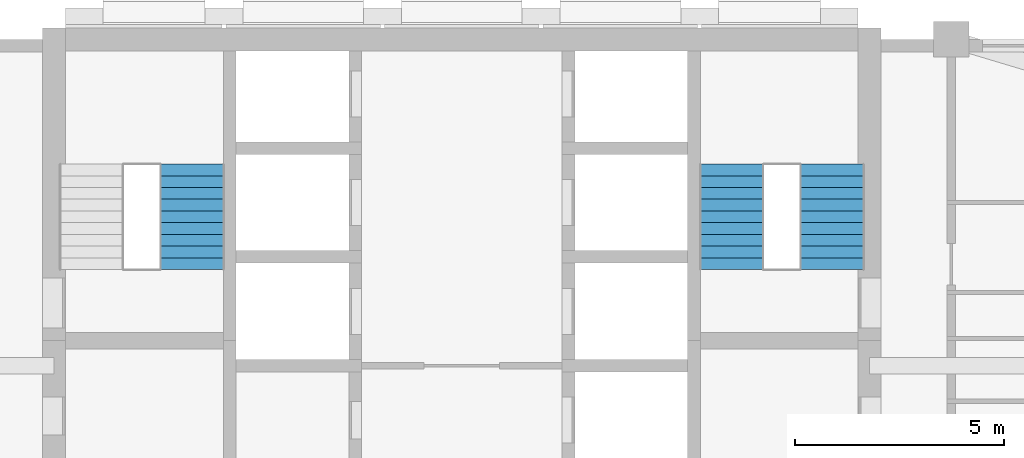
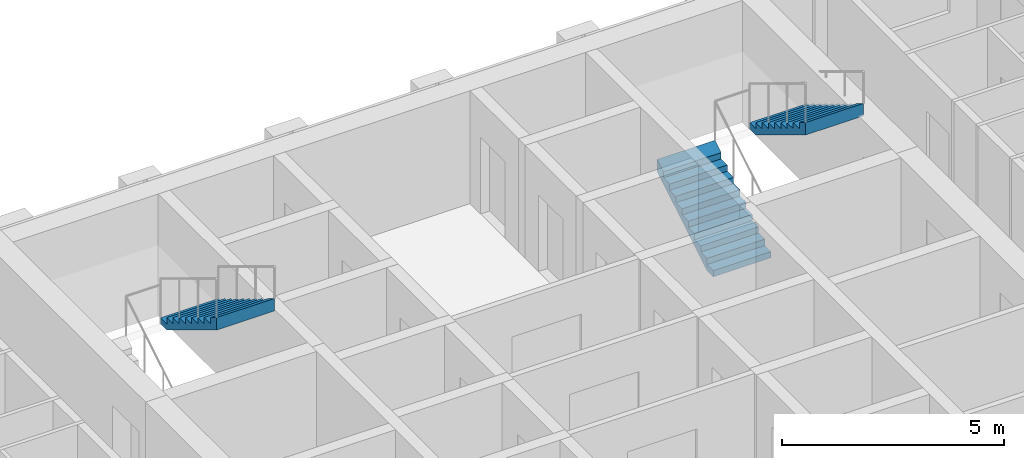
# One storey, part 12 of 14: 3 stair flights, 2 elements without a shape of their own.
"""IFC4 building model written with IfcOpenShell, lengths in metres."""

from ifc_helpers import new_model, si_unit, direction, frame, origin, place, context, subcontext, project, spatial, triangles, material, type_object, element, aggregate, save


model = new_model("IFC4")

# Units and contexts
model_context = context("Model", 3, precision=1e-05, world=origin(), true_north=direction((0.0, 1.0)))
body_context = subcontext(model_context, "Body", "Model", "MODEL_VIEW")
ifc_project = project(units=[si_unit("LENGTHUNIT", "METRE"), si_unit("AREAUNIT", "SQUARE_METRE"), si_unit("VOLUMEUNIT", "CUBIC_METRE"), si_unit("PLANEANGLEUNIT", "RADIAN"), si_unit("MASSUNIT", "GRAM", prefix="KILO")], contexts=[model_context])

# Site, building, storey
site_placement = place(None, origin())
site = spatial("IfcSite", under=ifc_project, at=site_placement, CompositionType="ELEMENT")
building_placement = place(site_placement, origin())
building = spatial("IfcBuilding", under=site, at=building_placement, Name="Ludao Terraces", CompositionType="ELEMENT")
storey_placement = place(building_placement, frame((0.0, 0.0, 140.699951171875)))
storey = spatial("IfcBuildingStorey", under=building, at=storey_placement, Name="L38", CompositionType="ELEMENT", Elevation=140.699951171875)

# Stair, stair flight
ifc_material = material(Name="Concrete C40", Category="concrete")
stair_type = type_object("IfcStairType", Name="INT Stair", PredefinedType="HALF_TURN_STAIR", material=ifc_material)
stair_1_placement = place(storey_placement, origin())
stair_1 = element("IfcStair", 1, at=stair_1_placement, inside=storey, type_object=stair_type, Name="EXIT STAIR 1", PredefinedType="HALF_TURN_STAIR")
stair_flight_type = type_object("IfcStairFlightType", Name="INT Stair flight", PredefinedType="STRAIGHT", material=ifc_material)
stair_flight_1_placement = place(storey_placement, frame((78.550048828125, 81.52001953125, 1.699951171875), z_axis=(0.0, 0.0, 1.0), x_axis=(0.0, -1.0, 0.0)))
stair_flight_1 = element("IfcStairFlight", 2, at=stair_flight_1_placement, type_object=stair_flight_type, Name="ST1 flight 2", NumberOfRisers=10, NumberOfTreads=9, PredefinedType="STRAIGHT", RiserHeight=0.17, TreadLength=0.28, context=body_context, shape_type="Tessellation", body=[
    triangles([(0.0, -0.75, 0.0), (0.0, -0.5, 0.0), (0.0, -0.25, 0.0), (0.0, 0.0, 0.0), (0.0, 0.25, 0.0), (0.0, 0.5, 0.0), (0.0, 0.75, 0.0), (0.0, -0.75, 0.169921875), (0.0, -0.5, 0.169921875), (0.0, -0.25, 0.169921875), (0.0, 0.0, 0.169921875), (0.0, 0.25, 0.169921875), (0.0, 0.5, 0.169921875), (0.0, 0.75, 0.169921875), (0.280029296875, -0.75, 0.169921875), (0.280029296875, -0.5, 0.169921875), (0.280029296875, -0.25, 0.169921875), (0.280029296875, 0.0, 0.169921875), (0.280029296875, 0.25, 0.169921875), (0.280029296875, 0.5, 0.169921875), (0.280029296875, 0.75, 0.169921875), (0.280029296875, -0.75, 0.340087890625), (0.280029296875, -0.5, 0.340087890625), (0.280029296875, -0.25, 0.340087890625), (0.280029296875, 0.0, 0.340087890625), (0.280029296875, 0.25, 0.340087890625), (0.280029296875, 0.5, 0.340087890625), (0.280029296875, 0.75, 0.340087890625), (0.56005859375, -0.75, 0.340087890625), (0.56005859375, -0.5, 0.340087890625), (0.56005859375, -0.25, 0.340087890625), (0.56005859375, 0.0, 0.340087890625), (0.56005859375, 0.25, 0.340087890625), (0.56005859375, 0.5, 0.340087890625), (0.56005859375, 0.75, 0.340087890625), (0.56005859375, -0.75, 0.510009765625), (0.56005859375, -0.5, 0.510009765625), (0.56005859375, -0.25, 0.510009765625), (0.56005859375, 0.0, 0.510009765625), (0.56005859375, 0.25, 0.510009765625), (0.56005859375, 0.5, 0.510009765625), (0.56005859375, 0.75, 0.510009765625), (0.840087890625, -0.75, 0.510009765625), (0.840087890625, -0.5, 0.510009765625), (0.840087890625, -0.25, 0.510009765625), (0.840087890625, 0.0, 0.510009765625), (0.840087890625, 0.25, 0.510009765625), (0.840087890625, 0.5, 0.510009765625), (0.840087890625, 0.75, 0.510009765625), (0.840087890625, -0.75, 0.679931640625), (0.840087890625, -0.5, 0.679931640625), (0.840087890625, -0.25, 0.679931640625), (0.840087890625, 0.0, 0.679931640625), (0.840087890625, 0.25, 0.679931640625), (0.840087890625, 0.5, 0.679931640625), (0.840087890625, 0.75, 0.679931640625), (1.1201171875, -0.75, 0.679931640625), (1.1201171875, -0.5, 0.679931640625), (1.1201171875, -0.25, 0.679931640625), (1.1201171875, 0.0, 0.679931640625), (1.1201171875, 0.25, 0.679931640625), (1.1201171875, 0.5, 0.679931640625), (1.1201171875, 0.75, 0.679931640625), (1.1201171875, -0.75, 0.85009765625), (1.1201171875, -0.5, 0.85009765625), (1.1201171875, -0.25, 0.85009765625), (1.1201171875, 0.0, 0.85009765625), (1.1201171875, 0.25, 0.85009765625), (1.1201171875, 0.5, 0.85009765625), (1.1201171875, 0.75, 0.85009765625), (1.39990234375, -0.75, 0.85009765625), (1.39990234375, -0.5, 0.85009765625), (1.39990234375, -0.25, 0.85009765625), (1.39990234375, 0.0, 0.85009765625), (1.39990234375, 0.25, 0.85009765625), (1.39990234375, 0.5, 0.85009765625), (1.39990234375, 0.75, 0.85009765625), (1.39990234375, -0.75, 1.02001953125), (1.39990234375, -0.5, 1.02001953125), (1.39990234375, -0.25, 1.02001953125), (1.39990234375, 0.0, 1.02001953125), (1.39990234375, 0.25, 1.02001953125), (1.39990234375, 0.5, 1.02001953125), (1.39990234375, 0.75, 1.02001953125), (1.679931640625, -0.75, 1.02001953125), (1.679931640625, -0.5, 1.02001953125), (1.679931640625, -0.25, 1.02001953125), (1.679931640625, 0.0, 1.02001953125), (1.679931640625, 0.25, 1.02001953125), (1.679931640625, 0.5, 1.02001953125), (1.679931640625, 0.75, 1.02001953125), (1.679931640625, -0.75, 1.18994140625), (1.679931640625, -0.5, 1.18994140625), (1.679931640625, -0.25, 1.18994140625), (1.679931640625, 0.0, 1.18994140625), (1.679931640625, 0.25, 1.18994140625), (1.679931640625, 0.5, 1.18994140625), (1.679931640625, 0.75, 1.18994140625), (1.9599609375, -0.75, 1.18994140625), (1.9599609375, -0.5, 1.18994140625), (1.9599609375, -0.25, 1.18994140625), (1.9599609375, 0.0, 1.18994140625), (1.9599609375, 0.25, 1.18994140625), (1.9599609375, 0.5, 1.18994140625), (1.9599609375, 0.75, 1.18994140625), (1.9599609375, -0.75, 1.360107421875), (1.9599609375, -0.5, 1.360107421875), (1.9599609375, -0.25, 1.360107421875), (1.9599609375, 0.0, 1.360107421875), (1.9599609375, 0.25, 1.360107421875), (1.9599609375, 0.5, 1.360107421875), (1.9599609375, 0.75, 1.360107421875), (2.239990234375, -0.75, 1.360107421875), (2.239990234375, -0.5, 1.360107421875), (2.239990234375, -0.25, 1.360107421875), (2.239990234375, 0.0, 1.360107421875), (2.239990234375, 0.25, 1.360107421875), (2.239990234375, 0.5, 1.360107421875), (2.239990234375, 0.75, 1.360107421875), (2.239990234375, -0.75, 1.530029296875), (2.239990234375, -0.5, 1.530029296875), (2.239990234375, -0.25, 1.530029296875), (2.239990234375, 0.0, 1.530029296875), (2.239990234375, 0.25, 1.530029296875), (2.239990234375, 0.5, 1.530029296875), (2.239990234375, 0.75, 1.530029296875), (2.52001953125, -0.75, 1.699951171875), (2.52001953125, -0.5, 1.699951171875), (2.52001953125, -0.25, 1.699951171875), (2.52001953125, 0.0, 1.699951171875), (2.52001953125, 0.25, 1.699951171875), (2.52001953125, 0.5, 1.699951171875), (2.52001953125, 0.75, 1.699951171875), (2.52001953125, -0.75, 1.354736328125), (2.52001953125, -0.5, 1.354736328125), (2.52001953125, -0.25, 1.354736328125), (2.52001953125, 0.0, 1.354736328125), (2.52001953125, 0.25, 1.354736328125), (2.52001953125, 0.5, 1.354736328125), (2.52001953125, 0.75, 1.354736328125), (0.288818359375, -0.75, 0.0), (0.288818359375, -0.5, 0.0), (0.288818359375, -0.25, 0.0), (0.288818359375, 0.0, 0.0), (0.288818359375, 0.25, 0.0), (0.288818359375, 0.5, 0.0), (0.288818359375, 0.75, 0.0)], [[1, 141, 134], [7, 140, 147], [134, 127, 120], [140, 126, 133], [134, 120, 113], [140, 119, 126], [134, 113, 106], [140, 112, 119], [134, 106, 99], [140, 105, 112], [99, 92, 85], [105, 91, 98], [134, 99, 85], [140, 91, 105], [85, 78, 71], [91, 77, 84], [134, 85, 71], [140, 77, 91], [71, 64, 57], [77, 63, 70], [134, 71, 57], [140, 63, 77], [57, 50, 43], [63, 49, 56], [134, 57, 43], [140, 49, 63], [43, 36, 29], [49, 35, 42], [134, 43, 29], [140, 35, 49], [29, 22, 15], [35, 21, 28], [134, 29, 15], [140, 21, 35], [1, 134, 15], [7, 21, 140], [15, 8, 1], [21, 7, 14], [1, 9, 2], [1, 8, 9], [2, 10, 3], [2, 9, 10], [3, 11, 4], [3, 10, 11], [4, 12, 5], [4, 11, 12], [5, 13, 6], [5, 12, 13], [6, 14, 7], [6, 13, 14], [8, 16, 9], [8, 15, 16], [9, 17, 10], [9, 16, 17], [10, 18, 11], [10, 17, 18], [11, 19, 12], [11, 18, 19], [12, 20, 13], [12, 19, 20], [13, 21, 14], [13, 20, 21], [15, 23, 16], [15, 22, 23], [16, 24, 17], [16, 23, 24], [17, 25, 18], [17, 24, 25], [18, 26, 19], [18, 25, 26], [19, 27, 20], [19, 26, 27], [20, 28, 21], [20, 27, 28], [22, 30, 23], [22, 29, 30], [23, 31, 24], [23, 30, 31], [24, 32, 25], [24, 31, 32], [25, 33, 26], [25, 32, 33], [26, 34, 27], [26, 33, 34], [27, 35, 28], [27, 34, 35], [29, 37, 30], [29, 36, 37], [30, 38, 31], [30, 37, 38], [31, 39, 32], [31, 38, 39], [32, 40, 33], [32, 39, 40], [33, 41, 34], [33, 40, 41], [34, 42, 35], [34, 41, 42], [36, 44, 37], [36, 43, 44], [37, 45, 38], [37, 44, 45], [38, 46, 39], [38, 45, 46], [39, 47, 40], [39, 46, 47], [40, 48, 41], [40, 47, 48], [41, 49, 42], [41, 48, 49], [43, 51, 44], [43, 50, 51], [44, 52, 45], [44, 51, 52], [45, 53, 46], [45, 52, 53], [46, 54, 47], [46, 53, 54], [47, 55, 48], [47, 54, 55], [48, 56, 49], [48, 55, 56], [50, 58, 51], [50, 57, 58], [51, 59, 52], [51, 58, 59], [52, 60, 53], [52, 59, 60], [53, 61, 54], [53, 60, 61], [54, 62, 55], [54, 61, 62], [55, 63, 56], [55, 62, 63], [57, 65, 58], [57, 64, 65], [58, 66, 59], [58, 65, 66], [59, 67, 60], [59, 66, 67], [60, 68, 61], [60, 67, 68], [61, 69, 62], [61, 68, 69], [62, 70, 63], [62, 69, 70], [64, 72, 65], [64, 71, 72], [65, 73, 66], [65, 72, 73], [66, 74, 67], [66, 73, 74], [67, 75, 68], [67, 74, 75], [68, 76, 69], [68, 75, 76], [69, 77, 70], [69, 76, 77], [71, 79, 72], [71, 78, 79], [72, 80, 73], [72, 79, 80], [73, 81, 74], [73, 80, 81], [74, 82, 75], [74, 81, 82], [75, 83, 76], [75, 82, 83], [76, 84, 77], [76, 83, 84], [78, 86, 79], [78, 85, 86], [79, 87, 80], [79, 86, 87], [80, 88, 81], [80, 87, 88], [81, 89, 82], [81, 88, 89], [82, 90, 83], [82, 89, 90], [83, 91, 84], [83, 90, 91], [85, 93, 86], [85, 92, 93], [86, 94, 87], [86, 93, 94], [87, 95, 88], [87, 94, 95], [88, 96, 89], [88, 95, 96], [89, 97, 90], [89, 96, 97], [90, 98, 91], [90, 97, 98], [92, 100, 93], [92, 99, 100], [93, 101, 94], [93, 100, 101], [94, 102, 95], [94, 101, 102], [95, 103, 96], [95, 102, 103], [96, 104, 97], [96, 103, 104], [97, 105, 98], [97, 104, 105], [99, 107, 100], [99, 106, 107], [100, 108, 101], [100, 107, 108], [101, 109, 102], [101, 108, 109], [102, 110, 103], [102, 109, 110], [103, 111, 104], [103, 110, 111], [104, 112, 105], [104, 111, 112], [106, 114, 107], [106, 113, 114], [107, 115, 108], [107, 114, 115], [108, 116, 109], [108, 115, 116], [109, 117, 110], [109, 116, 117], [110, 118, 111], [110, 117, 118], [111, 119, 112], [111, 118, 119], [113, 121, 114], [113, 120, 121], [114, 122, 115], [114, 121, 122], [115, 123, 116], [115, 122, 123], [116, 124, 117], [116, 123, 124], [117, 125, 118], [117, 124, 125], [118, 126, 119], [118, 125, 126], [120, 128, 121], [120, 127, 128], [121, 129, 122], [121, 128, 129], [122, 130, 123], [122, 129, 130], [123, 131, 124], [123, 130, 131], [124, 132, 125], [124, 131, 132], [125, 133, 126], [125, 132, 133], [127, 135, 128], [127, 134, 135], [128, 136, 129], [128, 135, 136], [129, 137, 130], [129, 136, 137], [130, 138, 131], [130, 137, 138], [131, 139, 132], [131, 138, 139], [132, 140, 133], [132, 139, 140], [134, 142, 135], [134, 141, 142], [135, 143, 136], [135, 142, 143], [136, 144, 137], [136, 143, 144], [137, 145, 138], [137, 144, 145], [138, 146, 139], [138, 145, 146], [139, 147, 140], [139, 146, 147], [141, 2, 142], [141, 1, 2], [142, 3, 143], [142, 2, 3], [143, 4, 144], [143, 3, 4], [144, 5, 145], [144, 4, 5], [145, 6, 146], [145, 5, 6], [146, 7, 147], [146, 6, 7]], closed=True),
])
aggregate(stair_1, [stair_flight_1])

# Stair, stair flights
stair_2_placement = place(storey_placement, origin())
stair_2 = element("IfcStair", 3, at=stair_2_placement, inside=storey, type_object=stair_type, Name="EXIT STAIR 2", PredefinedType="HALF_TURN_STAIR")
stair_flight_2_placement = place(storey_placement, frame((91.449951171875, 79.0, 0.0), z_axis=(0.0, 0.0, 1.0), x_axis=(0.0, 1.0, 0.0)))
stair_flight_2 = element("IfcStairFlight", 4, at=stair_flight_2_placement, type_object=stair_flight_type, Name="ST2 flight 1", NumberOfRisers=10, NumberOfTreads=9, PredefinedType="STRAIGHT", RiserHeight=0.17, TreadLength=0.28, context=body_context, shape_type="Tessellation", body=[
    triangles([(0.0, -0.75, 0.0), (0.0, -0.5, 0.0), (0.0, -0.25, 0.0), (0.0, 0.0, 0.0), (0.0, 0.25, 0.0), (0.0, 0.5, 0.0), (0.0, 0.75, 0.0), (0.0, -0.75, 0.169921875), (0.0, -0.5, 0.169921875), (0.0, -0.25, 0.169921875), (0.0, 0.0, 0.169921875), (0.0, 0.25, 0.169921875), (0.0, 0.5, 0.169921875), (0.0, 0.75, 0.169921875), (0.280029296875, -0.75, 0.169921875), (0.280029296875, -0.5, 0.169921875), (0.280029296875, -0.25, 0.169921875), (0.280029296875, 0.0, 0.169921875), (0.280029296875, 0.25, 0.169921875), (0.280029296875, 0.5, 0.169921875), (0.280029296875, 0.75, 0.169921875), (0.280029296875, -0.75, 0.340087890625), (0.280029296875, -0.5, 0.340087890625), (0.280029296875, -0.25, 0.340087890625), (0.280029296875, 0.0, 0.340087890625), (0.280029296875, 0.25, 0.340087890625), (0.280029296875, 0.5, 0.340087890625), (0.280029296875, 0.75, 0.340087890625), (0.56005859375, -0.75, 0.340087890625), (0.56005859375, -0.5, 0.340087890625), (0.56005859375, -0.25, 0.340087890625), (0.56005859375, 0.0, 0.340087890625), (0.56005859375, 0.25, 0.340087890625), (0.56005859375, 0.5, 0.340087890625), (0.56005859375, 0.75, 0.340087890625), (0.56005859375, -0.75, 0.510009765625), (0.56005859375, -0.5, 0.510009765625), (0.56005859375, -0.25, 0.510009765625), (0.56005859375, 0.0, 0.510009765625), (0.56005859375, 0.25, 0.510009765625), (0.56005859375, 0.5, 0.510009765625), (0.56005859375, 0.75, 0.510009765625), (0.840087890625, -0.75, 0.510009765625), (0.840087890625, -0.5, 0.510009765625), (0.840087890625, -0.25, 0.510009765625), (0.840087890625, 0.0, 0.510009765625), (0.840087890625, 0.25, 0.510009765625), (0.840087890625, 0.5, 0.510009765625), (0.840087890625, 0.75, 0.510009765625), (0.840087890625, -0.75, 0.679931640625), (0.840087890625, -0.5, 0.679931640625), (0.840087890625, -0.25, 0.679931640625), (0.840087890625, 0.0, 0.679931640625), (0.840087890625, 0.25, 0.679931640625), (0.840087890625, 0.5, 0.679931640625), (0.840087890625, 0.75, 0.679931640625), (1.1201171875, -0.75, 0.679931640625), (1.1201171875, -0.5, 0.679931640625), (1.1201171875, -0.25, 0.679931640625), (1.1201171875, 0.0, 0.679931640625), (1.1201171875, 0.25, 0.679931640625), (1.1201171875, 0.5, 0.679931640625), (1.1201171875, 0.75, 0.679931640625), (1.1201171875, -0.75, 0.85009765625), (1.1201171875, -0.5, 0.85009765625), (1.1201171875, -0.25, 0.85009765625), (1.1201171875, 0.0, 0.85009765625), (1.1201171875, 0.25, 0.85009765625), (1.1201171875, 0.5, 0.85009765625), (1.1201171875, 0.75, 0.85009765625), (1.39990234375, -0.75, 0.85009765625), (1.39990234375, -0.5, 0.85009765625), (1.39990234375, -0.25, 0.85009765625), (1.39990234375, 0.0, 0.85009765625), (1.39990234375, 0.25, 0.85009765625), (1.39990234375, 0.5, 0.85009765625), (1.39990234375, 0.75, 0.85009765625), (1.39990234375, -0.75, 1.02001953125), (1.39990234375, -0.5, 1.02001953125), (1.39990234375, -0.25, 1.02001953125), (1.39990234375, 0.0, 1.02001953125), (1.39990234375, 0.25, 1.02001953125), (1.39990234375, 0.5, 1.02001953125), (1.39990234375, 0.75, 1.02001953125), (1.679931640625, -0.75, 1.02001953125), (1.679931640625, -0.5, 1.02001953125), (1.679931640625, -0.25, 1.02001953125), (1.679931640625, 0.0, 1.02001953125), (1.679931640625, 0.25, 1.02001953125), (1.679931640625, 0.5, 1.02001953125), (1.679931640625, 0.75, 1.02001953125), (1.679931640625, -0.75, 1.18994140625), (1.679931640625, -0.5, 1.18994140625), (1.679931640625, -0.25, 1.18994140625), (1.679931640625, 0.0, 1.18994140625), (1.679931640625, 0.25, 1.18994140625), (1.679931640625, 0.5, 1.18994140625), (1.679931640625, 0.75, 1.18994140625), (1.9599609375, -0.75, 1.18994140625), (1.9599609375, -0.5, 1.18994140625), (1.9599609375, -0.25, 1.18994140625), (1.9599609375, 0.0, 1.18994140625), (1.9599609375, 0.25, 1.18994140625), (1.9599609375, 0.5, 1.18994140625), (1.9599609375, 0.75, 1.18994140625), (1.9599609375, -0.75, 1.360107421875), (1.9599609375, -0.5, 1.360107421875), (1.9599609375, -0.25, 1.360107421875), (1.9599609375, 0.0, 1.360107421875), (1.9599609375, 0.25, 1.360107421875), (1.9599609375, 0.5, 1.360107421875), (1.9599609375, 0.75, 1.360107421875), (2.239990234375, -0.75, 1.360107421875), (2.239990234375, -0.5, 1.360107421875), (2.239990234375, -0.25, 1.360107421875), (2.239990234375, 0.0, 1.360107421875), (2.239990234375, 0.25, 1.360107421875), (2.239990234375, 0.5, 1.360107421875), (2.239990234375, 0.75, 1.360107421875), (2.239990234375, -0.75, 1.530029296875), (2.239990234375, -0.5, 1.530029296875), (2.239990234375, -0.25, 1.530029296875), (2.239990234375, 0.0, 1.530029296875), (2.239990234375, 0.25, 1.530029296875), (2.239990234375, 0.5, 1.530029296875), (2.239990234375, 0.75, 1.530029296875), (2.52001953125, -0.75, 1.699951171875), (2.52001953125, -0.5, 1.699951171875), (2.52001953125, -0.25, 1.699951171875), (2.52001953125, 0.0, 1.699951171875), (2.52001953125, 0.25, 1.699951171875), (2.52001953125, 0.5, 1.699951171875), (2.52001953125, 0.75, 1.699951171875), (2.52001953125, -0.75, 1.354736328125), (2.52001953125, -0.5, 1.354736328125), (2.52001953125, -0.25, 1.354736328125), (2.52001953125, 0.0, 1.354736328125), (2.52001953125, 0.25, 1.354736328125), (2.52001953125, 0.5, 1.354736328125), (2.52001953125, 0.75, 1.354736328125), (0.288818359375, -0.75, 0.0), (0.288818359375, -0.5, 0.0), (0.288818359375, -0.25, 0.0), (0.288818359375, 0.0, 0.0), (0.288818359375, 0.25, 0.0), (0.288818359375, 0.5, 0.0), (0.288818359375, 0.75, 0.0)], [[1, 141, 134], [7, 140, 147], [134, 127, 120], [140, 126, 133], [134, 120, 113], [140, 119, 126], [134, 113, 106], [140, 112, 119], [134, 106, 99], [140, 105, 112], [99, 92, 85], [105, 91, 98], [134, 99, 85], [140, 91, 105], [85, 78, 71], [91, 77, 84], [134, 85, 71], [140, 77, 91], [71, 64, 57], [77, 63, 70], [134, 71, 57], [140, 63, 77], [57, 50, 43], [63, 49, 56], [134, 57, 43], [140, 49, 63], [43, 36, 29], [49, 35, 42], [134, 43, 29], [140, 35, 49], [29, 22, 15], [35, 21, 28], [134, 29, 15], [140, 21, 35], [1, 134, 15], [7, 21, 140], [15, 8, 1], [21, 7, 14], [1, 9, 2], [1, 8, 9], [2, 10, 3], [2, 9, 10], [3, 11, 4], [3, 10, 11], [4, 12, 5], [4, 11, 12], [5, 13, 6], [5, 12, 13], [6, 14, 7], [6, 13, 14], [8, 16, 9], [8, 15, 16], [9, 17, 10], [9, 16, 17], [10, 18, 11], [10, 17, 18], [11, 19, 12], [11, 18, 19], [12, 20, 13], [12, 19, 20], [13, 21, 14], [13, 20, 21], [15, 23, 16], [15, 22, 23], [16, 24, 17], [16, 23, 24], [17, 25, 18], [17, 24, 25], [18, 26, 19], [18, 25, 26], [19, 27, 20], [19, 26, 27], [20, 28, 21], [20, 27, 28], [22, 30, 23], [22, 29, 30], [23, 31, 24], [23, 30, 31], [24, 32, 25], [24, 31, 32], [25, 33, 26], [25, 32, 33], [26, 34, 27], [26, 33, 34], [27, 35, 28], [27, 34, 35], [29, 37, 30], [29, 36, 37], [30, 38, 31], [30, 37, 38], [31, 39, 32], [31, 38, 39], [32, 40, 33], [32, 39, 40], [33, 41, 34], [33, 40, 41], [34, 42, 35], [34, 41, 42], [36, 44, 37], [36, 43, 44], [37, 45, 38], [37, 44, 45], [38, 46, 39], [38, 45, 46], [39, 47, 40], [39, 46, 47], [40, 48, 41], [40, 47, 48], [41, 49, 42], [41, 48, 49], [43, 51, 44], [43, 50, 51], [44, 52, 45], [44, 51, 52], [45, 53, 46], [45, 52, 53], [46, 54, 47], [46, 53, 54], [47, 55, 48], [47, 54, 55], [48, 56, 49], [48, 55, 56], [50, 58, 51], [50, 57, 58], [51, 59, 52], [51, 58, 59], [52, 60, 53], [52, 59, 60], [53, 61, 54], [53, 60, 61], [54, 62, 55], [54, 61, 62], [55, 63, 56], [55, 62, 63], [57, 65, 58], [57, 64, 65], [58, 66, 59], [58, 65, 66], [59, 67, 60], [59, 66, 67], [60, 68, 61], [60, 67, 68], [61, 69, 62], [61, 68, 69], [62, 70, 63], [62, 69, 70], [64, 72, 65], [64, 71, 72], [65, 73, 66], [65, 72, 73], [66, 74, 67], [66, 73, 74], [67, 75, 68], [67, 74, 75], [68, 76, 69], [68, 75, 76], [69, 77, 70], [69, 76, 77], [71, 79, 72], [71, 78, 79], [72, 80, 73], [72, 79, 80], [73, 81, 74], [73, 80, 81], [74, 82, 75], [74, 81, 82], [75, 83, 76], [75, 82, 83], [76, 84, 77], [76, 83, 84], [78, 86, 79], [78, 85, 86], [79, 87, 80], [79, 86, 87], [80, 88, 81], [80, 87, 88], [81, 89, 82], [81, 88, 89], [82, 90, 83], [82, 89, 90], [83, 91, 84], [83, 90, 91], [85, 93, 86], [85, 92, 93], [86, 94, 87], [86, 93, 94], [87, 95, 88], [87, 94, 95], [88, 96, 89], [88, 95, 96], [89, 97, 90], [89, 96, 97], [90, 98, 91], [90, 97, 98], [92, 100, 93], [92, 99, 100], [93, 101, 94], [93, 100, 101], [94, 102, 95], [94, 101, 102], [95, 103, 96], [95, 102, 103], [96, 104, 97], [96, 103, 104], [97, 105, 98], [97, 104, 105], [99, 107, 100], [99, 106, 107], [100, 108, 101], [100, 107, 108], [101, 109, 102], [101, 108, 109], [102, 110, 103], [102, 109, 110], [103, 111, 104], [103, 110, 111], [104, 112, 105], [104, 111, 112], [106, 114, 107], [106, 113, 114], [107, 115, 108], [107, 114, 115], [108, 116, 109], [108, 115, 116], [109, 117, 110], [109, 116, 117], [110, 118, 111], [110, 117, 118], [111, 119, 112], [111, 118, 119], [113, 121, 114], [113, 120, 121], [114, 122, 115], [114, 121, 122], [115, 123, 116], [115, 122, 123], [116, 124, 117], [116, 123, 124], [117, 125, 118], [117, 124, 125], [118, 126, 119], [118, 125, 126], [120, 128, 121], [120, 127, 128], [121, 129, 122], [121, 128, 129], [122, 130, 123], [122, 129, 130], [123, 131, 124], [123, 130, 131], [124, 132, 125], [124, 131, 132], [125, 133, 126], [125, 132, 133], [127, 135, 128], [127, 134, 135], [128, 136, 129], [128, 135, 136], [129, 137, 130], [129, 136, 137], [130, 138, 131], [130, 137, 138], [131, 139, 132], [131, 138, 139], [132, 140, 133], [132, 139, 140], [134, 142, 135], [134, 141, 142], [135, 143, 136], [135, 142, 143], [136, 144, 137], [136, 143, 144], [137, 145, 138], [137, 144, 145], [138, 146, 139], [138, 145, 146], [139, 147, 140], [139, 146, 147], [141, 2, 142], [141, 1, 2], [142, 3, 143], [142, 2, 3], [143, 4, 144], [143, 3, 4], [144, 5, 145], [144, 4, 5], [145, 6, 146], [145, 5, 6], [146, 7, 147], [146, 6, 7]], closed=True),
])
stair_flight_3_placement = place(storey_placement, frame((93.85009765625, 81.52001953125, 1.699951171875), z_axis=(0.0, 0.0, 1.0), x_axis=(0.0, -1.0, 0.0)))
stair_flight_3 = element("IfcStairFlight", 5, at=stair_flight_3_placement, type_object=stair_flight_type, Name="ST2 flight 2", NumberOfRisers=10, NumberOfTreads=9, PredefinedType="STRAIGHT", RiserHeight=0.17, TreadLength=0.28, context=body_context, shape_type="Tessellation", body=[
    triangles([(0.0, -0.75, 0.0), (0.0, -0.5, 0.0), (0.0, -0.25, 0.0), (0.0, 0.0, 0.0), (0.0, 0.25, 0.0), (0.0, 0.5, 0.0), (0.0, 0.75, 0.0), (0.0, -0.75, 0.169921875), (0.0, -0.5, 0.169921875), (0.0, -0.25, 0.169921875), (0.0, 0.0, 0.169921875), (0.0, 0.25, 0.169921875), (0.0, 0.5, 0.169921875), (0.0, 0.75, 0.169921875), (0.280029296875, -0.75, 0.169921875), (0.280029296875, -0.5, 0.169921875), (0.280029296875, -0.25, 0.169921875), (0.280029296875, 0.0, 0.169921875), (0.280029296875, 0.25, 0.169921875), (0.280029296875, 0.5, 0.169921875), (0.280029296875, 0.75, 0.169921875), (0.280029296875, -0.75, 0.340087890625), (0.280029296875, -0.5, 0.340087890625), (0.280029296875, -0.25, 0.340087890625), (0.280029296875, 0.0, 0.340087890625), (0.280029296875, 0.25, 0.340087890625), (0.280029296875, 0.5, 0.340087890625), (0.280029296875, 0.75, 0.340087890625), (0.56005859375, -0.75, 0.340087890625), (0.56005859375, -0.5, 0.340087890625), (0.56005859375, -0.25, 0.340087890625), (0.56005859375, 0.0, 0.340087890625), (0.56005859375, 0.25, 0.340087890625), (0.56005859375, 0.5, 0.340087890625), (0.56005859375, 0.75, 0.340087890625), (0.56005859375, -0.75, 0.510009765625), (0.56005859375, -0.5, 0.510009765625), (0.56005859375, -0.25, 0.510009765625), (0.56005859375, 0.0, 0.510009765625), (0.56005859375, 0.25, 0.510009765625), (0.56005859375, 0.5, 0.510009765625), (0.56005859375, 0.75, 0.510009765625), (0.840087890625, -0.75, 0.510009765625), (0.840087890625, -0.5, 0.510009765625), (0.840087890625, -0.25, 0.510009765625), (0.840087890625, 0.0, 0.510009765625), (0.840087890625, 0.25, 0.510009765625), (0.840087890625, 0.5, 0.510009765625), (0.840087890625, 0.75, 0.510009765625), (0.840087890625, -0.75, 0.679931640625), (0.840087890625, -0.5, 0.679931640625), (0.840087890625, -0.25, 0.679931640625), (0.840087890625, 0.0, 0.679931640625), (0.840087890625, 0.25, 0.679931640625), (0.840087890625, 0.5, 0.679931640625), (0.840087890625, 0.75, 0.679931640625), (1.1201171875, -0.75, 0.679931640625), (1.1201171875, -0.5, 0.679931640625), (1.1201171875, -0.25, 0.679931640625), (1.1201171875, 0.0, 0.679931640625), (1.1201171875, 0.25, 0.679931640625), (1.1201171875, 0.5, 0.679931640625), (1.1201171875, 0.75, 0.679931640625), (1.1201171875, -0.75, 0.85009765625), (1.1201171875, -0.5, 0.85009765625), (1.1201171875, -0.25, 0.85009765625), (1.1201171875, 0.0, 0.85009765625), (1.1201171875, 0.25, 0.85009765625), (1.1201171875, 0.5, 0.85009765625), (1.1201171875, 0.75, 0.85009765625), (1.39990234375, -0.75, 0.85009765625), (1.39990234375, -0.5, 0.85009765625), (1.39990234375, -0.25, 0.85009765625), (1.39990234375, 0.0, 0.85009765625), (1.39990234375, 0.25, 0.85009765625), (1.39990234375, 0.5, 0.85009765625), (1.39990234375, 0.75, 0.85009765625), (1.39990234375, -0.75, 1.02001953125), (1.39990234375, -0.5, 1.02001953125), (1.39990234375, -0.25, 1.02001953125), (1.39990234375, 0.0, 1.02001953125), (1.39990234375, 0.25, 1.02001953125), (1.39990234375, 0.5, 1.02001953125), (1.39990234375, 0.75, 1.02001953125), (1.679931640625, -0.75, 1.02001953125), (1.679931640625, -0.5, 1.02001953125), (1.679931640625, -0.25, 1.02001953125), (1.679931640625, 0.0, 1.02001953125), (1.679931640625, 0.25, 1.02001953125), (1.679931640625, 0.5, 1.02001953125), (1.679931640625, 0.75, 1.02001953125), (1.679931640625, -0.75, 1.18994140625), (1.679931640625, -0.5, 1.18994140625), (1.679931640625, -0.25, 1.18994140625), (1.679931640625, 0.0, 1.18994140625), (1.679931640625, 0.25, 1.18994140625), (1.679931640625, 0.5, 1.18994140625), (1.679931640625, 0.75, 1.18994140625), (1.9599609375, -0.75, 1.18994140625), (1.9599609375, -0.5, 1.18994140625), (1.9599609375, -0.25, 1.18994140625), (1.9599609375, 0.0, 1.18994140625), (1.9599609375, 0.25, 1.18994140625), (1.9599609375, 0.5, 1.18994140625), (1.9599609375, 0.75, 1.18994140625), (1.9599609375, -0.75, 1.360107421875), (1.9599609375, -0.5, 1.360107421875), (1.9599609375, -0.25, 1.360107421875), (1.9599609375, 0.0, 1.360107421875), (1.9599609375, 0.25, 1.360107421875), (1.9599609375, 0.5, 1.360107421875), (1.9599609375, 0.75, 1.360107421875), (2.239990234375, -0.75, 1.360107421875), (2.239990234375, -0.5, 1.360107421875), (2.239990234375, -0.25, 1.360107421875), (2.239990234375, 0.0, 1.360107421875), (2.239990234375, 0.25, 1.360107421875), (2.239990234375, 0.5, 1.360107421875), (2.239990234375, 0.75, 1.360107421875), (2.239990234375, -0.75, 1.530029296875), (2.239990234375, -0.5, 1.530029296875), (2.239990234375, -0.25, 1.530029296875), (2.239990234375, 0.0, 1.530029296875), (2.239990234375, 0.25, 1.530029296875), (2.239990234375, 0.5, 1.530029296875), (2.239990234375, 0.75, 1.530029296875), (2.52001953125, -0.75, 1.699951171875), (2.52001953125, -0.5, 1.699951171875), (2.52001953125, -0.25, 1.699951171875), (2.52001953125, 0.0, 1.699951171875), (2.52001953125, 0.25, 1.699951171875), (2.52001953125, 0.5, 1.699951171875), (2.52001953125, 0.75, 1.699951171875), (2.52001953125, -0.75, 1.354736328125), (2.52001953125, -0.5, 1.354736328125), (2.52001953125, -0.25, 1.354736328125), (2.52001953125, 0.0, 1.354736328125), (2.52001953125, 0.25, 1.354736328125), (2.52001953125, 0.5, 1.354736328125), (2.52001953125, 0.75, 1.354736328125), (0.288818359375, -0.75, 0.0), (0.288818359375, -0.5, 0.0), (0.288818359375, -0.25, 0.0), (0.288818359375, 0.0, 0.0), (0.288818359375, 0.25, 0.0), (0.288818359375, 0.5, 0.0), (0.288818359375, 0.75, 0.0)], [[1, 141, 134], [7, 140, 147], [134, 127, 120], [140, 126, 133], [134, 120, 113], [140, 119, 126], [134, 113, 106], [140, 112, 119], [134, 106, 99], [140, 105, 112], [99, 92, 85], [105, 91, 98], [134, 99, 85], [140, 91, 105], [85, 78, 71], [91, 77, 84], [134, 85, 71], [140, 77, 91], [71, 64, 57], [77, 63, 70], [134, 71, 57], [140, 63, 77], [57, 50, 43], [63, 49, 56], [134, 57, 43], [140, 49, 63], [43, 36, 29], [49, 35, 42], [134, 43, 29], [140, 35, 49], [29, 22, 15], [35, 21, 28], [134, 29, 15], [140, 21, 35], [1, 134, 15], [7, 21, 140], [15, 8, 1], [21, 7, 14], [1, 9, 2], [1, 8, 9], [2, 10, 3], [2, 9, 10], [3, 11, 4], [3, 10, 11], [4, 12, 5], [4, 11, 12], [5, 13, 6], [5, 12, 13], [6, 14, 7], [6, 13, 14], [8, 16, 9], [8, 15, 16], [9, 17, 10], [9, 16, 17], [10, 18, 11], [10, 17, 18], [11, 19, 12], [11, 18, 19], [12, 20, 13], [12, 19, 20], [13, 21, 14], [13, 20, 21], [15, 23, 16], [15, 22, 23], [16, 24, 17], [16, 23, 24], [17, 25, 18], [17, 24, 25], [18, 26, 19], [18, 25, 26], [19, 27, 20], [19, 26, 27], [20, 28, 21], [20, 27, 28], [22, 30, 23], [22, 29, 30], [23, 31, 24], [23, 30, 31], [24, 32, 25], [24, 31, 32], [25, 33, 26], [25, 32, 33], [26, 34, 27], [26, 33, 34], [27, 35, 28], [27, 34, 35], [29, 37, 30], [29, 36, 37], [30, 38, 31], [30, 37, 38], [31, 39, 32], [31, 38, 39], [32, 40, 33], [32, 39, 40], [33, 41, 34], [33, 40, 41], [34, 42, 35], [34, 41, 42], [36, 44, 37], [36, 43, 44], [37, 45, 38], [37, 44, 45], [38, 46, 39], [38, 45, 46], [39, 47, 40], [39, 46, 47], [40, 48, 41], [40, 47, 48], [41, 49, 42], [41, 48, 49], [43, 51, 44], [43, 50, 51], [44, 52, 45], [44, 51, 52], [45, 53, 46], [45, 52, 53], [46, 54, 47], [46, 53, 54], [47, 55, 48], [47, 54, 55], [48, 56, 49], [48, 55, 56], [50, 58, 51], [50, 57, 58], [51, 59, 52], [51, 58, 59], [52, 60, 53], [52, 59, 60], [53, 61, 54], [53, 60, 61], [54, 62, 55], [54, 61, 62], [55, 63, 56], [55, 62, 63], [57, 65, 58], [57, 64, 65], [58, 66, 59], [58, 65, 66], [59, 67, 60], [59, 66, 67], [60, 68, 61], [60, 67, 68], [61, 69, 62], [61, 68, 69], [62, 70, 63], [62, 69, 70], [64, 72, 65], [64, 71, 72], [65, 73, 66], [65, 72, 73], [66, 74, 67], [66, 73, 74], [67, 75, 68], [67, 74, 75], [68, 76, 69], [68, 75, 76], [69, 77, 70], [69, 76, 77], [71, 79, 72], [71, 78, 79], [72, 80, 73], [72, 79, 80], [73, 81, 74], [73, 80, 81], [74, 82, 75], [74, 81, 82], [75, 83, 76], [75, 82, 83], [76, 84, 77], [76, 83, 84], [78, 86, 79], [78, 85, 86], [79, 87, 80], [79, 86, 87], [80, 88, 81], [80, 87, 88], [81, 89, 82], [81, 88, 89], [82, 90, 83], [82, 89, 90], [83, 91, 84], [83, 90, 91], [85, 93, 86], [85, 92, 93], [86, 94, 87], [86, 93, 94], [87, 95, 88], [87, 94, 95], [88, 96, 89], [88, 95, 96], [89, 97, 90], [89, 96, 97], [90, 98, 91], [90, 97, 98], [92, 100, 93], [92, 99, 100], [93, 101, 94], [93, 100, 101], [94, 102, 95], [94, 101, 102], [95, 103, 96], [95, 102, 103], [96, 104, 97], [96, 103, 104], [97, 105, 98], [97, 104, 105], [99, 107, 100], [99, 106, 107], [100, 108, 101], [100, 107, 108], [101, 109, 102], [101, 108, 109], [102, 110, 103], [102, 109, 110], [103, 111, 104], [103, 110, 111], [104, 112, 105], [104, 111, 112], [106, 114, 107], [106, 113, 114], [107, 115, 108], [107, 114, 115], [108, 116, 109], [108, 115, 116], [109, 117, 110], [109, 116, 117], [110, 118, 111], [110, 117, 118], [111, 119, 112], [111, 118, 119], [113, 121, 114], [113, 120, 121], [114, 122, 115], [114, 121, 122], [115, 123, 116], [115, 122, 123], [116, 124, 117], [116, 123, 124], [117, 125, 118], [117, 124, 125], [118, 126, 119], [118, 125, 126], [120, 128, 121], [120, 127, 128], [121, 129, 122], [121, 128, 129], [122, 130, 123], [122, 129, 130], [123, 131, 124], [123, 130, 131], [124, 132, 125], [124, 131, 132], [125, 133, 126], [125, 132, 133], [127, 135, 128], [127, 134, 135], [128, 136, 129], [128, 135, 136], [129, 137, 130], [129, 136, 137], [130, 138, 131], [130, 137, 138], [131, 139, 132], [131, 138, 139], [132, 140, 133], [132, 139, 140], [134, 142, 135], [134, 141, 142], [135, 143, 136], [135, 142, 143], [136, 144, 137], [136, 143, 144], [137, 145, 138], [137, 144, 145], [138, 146, 139], [138, 145, 146], [139, 147, 140], [139, 146, 147], [141, 2, 142], [141, 1, 2], [142, 3, 143], [142, 2, 3], [143, 4, 144], [143, 3, 4], [144, 5, 145], [144, 4, 5], [145, 6, 146], [145, 5, 6], [146, 7, 147], [146, 6, 7]], closed=True),
])
aggregate(stair_2, [stair_flight_2, stair_flight_3])

save(model, "model.ifc")
